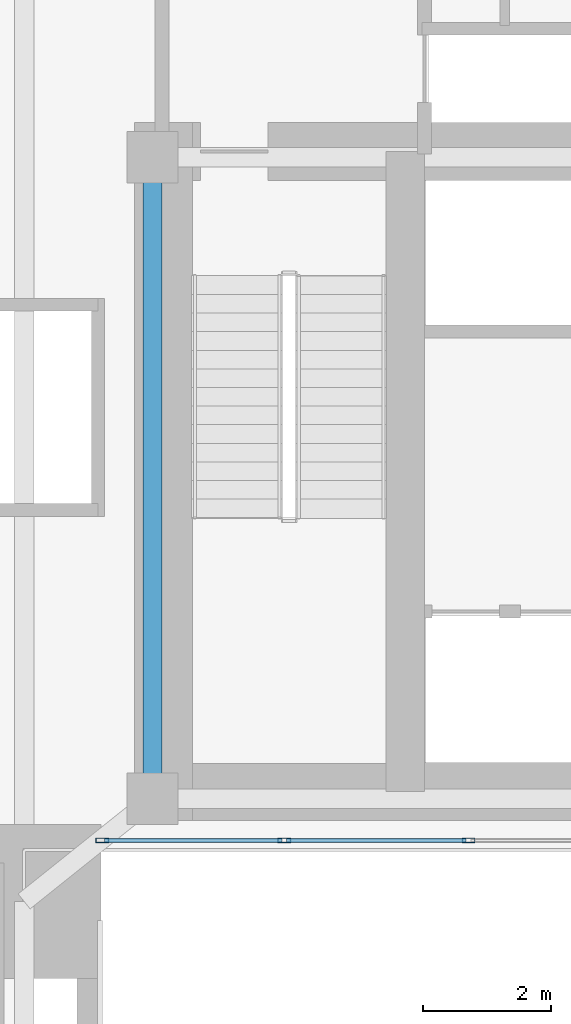
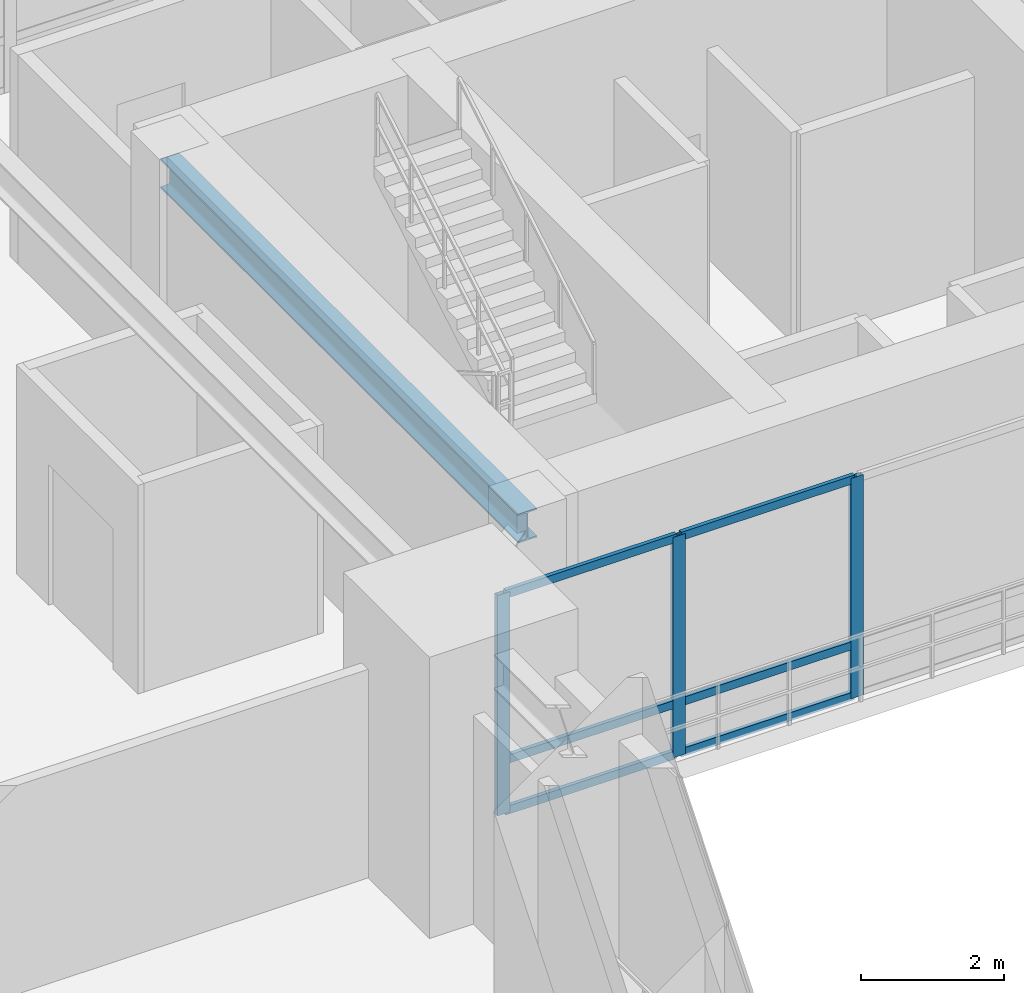
# One storey, part 2 of 14: 9 members, 1 beam, 1 element without a shape of its own.
"""IFC4 building model written with IfcOpenShell, lengths in metres."""

from ifc_helpers import new_model, si_unit, direction, frame, origin, origin_2d, place, context, subcontext, project, spatial, hollow_rectangle, i_section, extrude, material, layer, layer_set, material_profile, profile_set, type_object, element, aggregate, save


model = new_model("IFC4")

# Units and contexts
model_context = context("Model", 3, precision=1e-05, world=origin(), true_north=direction((0.0, 1.0)))
body_context = subcontext(model_context, "Body", "Model", "MODEL_VIEW")
ifc_project = project(units=[si_unit("LENGTHUNIT", "METRE"), si_unit("AREAUNIT", "SQUARE_METRE"), si_unit("VOLUMEUNIT", "CUBIC_METRE"), si_unit("PLANEANGLEUNIT", "RADIAN"), si_unit("MASSUNIT", "GRAM", prefix="KILO"), si_unit("THERMODYNAMICTEMPERATUREUNIT", "KELVIN"), si_unit("POWERUNIT", "WATT")], contexts=[model_context])

# Site, building, storey
site_placement = place(None, origin())
site = spatial("IfcSite", under=ifc_project, at=site_placement, CompositionType="ELEMENT")
building_placement = place(site_placement, origin())
building = spatial("IfcBuilding", under=site, at=building_placement, Name="Ocrelia Relay Tower", CompositionType="ELEMENT")
storey_placement = place(building_placement, frame((0.0, 0.0, 5.39990234375)))
storey = spatial("IfcBuildingStorey", under=building, at=storey_placement, Name="L01", CompositionType="ELEMENT", Elevation=5.39990234375)

# Beam
ifc_material_1 = material(Name="Steel S355", Category="steel")
ifc_material_profile_1 = material_profile(ifc_material_1, i_section(OverallWidth=0.300048828125, OverallDepth=0.5, WebThickness=0.014404296875, FlangeThickness=0.028076171875, FilletRadius=0.027099609375, at=origin_2d()), Name="HEB 500")
ifc_profile_set_1 = profile_set([ifc_material_profile_1], Name="Steel S355")
beam_type = type_object("IfcBeamType", Name="BM-HEB500", PredefinedType="BEAM", material=ifc_profile_set_1)
beam_placement = place(storey_placement, frame((26.199951171875, 20.0, 4.22998046875), z_axis=(0.0, 1.0, 0.0), x_axis=(-1.0, 0.0, 0.0)))
element("IfcBeam", 1, at=beam_placement, inside=storey, type_object=beam_type, Name="L01 Core Pilaster Tie Beam W", PredefinedType="BEAM", context=body_context, shape_type="SweptSolid", body=[
    extrude(i_section(OverallWidth=0.300048828125, OverallDepth=0.5, WebThickness=0.014404296875, FlangeThickness=0.028076171875, FilletRadius=0.027099609375, at=origin_2d()), origin(), (0.0, 0.0, 1.0), 10.0),
])

# Curtain wall, members
ifc_material_2 = material(Name="Aluminium and solar-control low-E glass", Category="aluminium")
ifc_layer = layer(ifc_material_2, 0.179931640625, Name="Aluminium and solar-control low-E glass")
ifc_layer_set = layer_set([ifc_layer], Name="Aluminium and solar-control low-E glass")
curtain_wall_type = type_object("IfcCurtainWallType", Name="CW-SYS-POD-ARCH", PredefinedType="NOTDEFINED", material=ifc_layer_set)
curtain_wall_placement = place(storey_placement, origin())
curtain_wall = element("IfcCurtainWall", 2, at=curtain_wall_placement, inside=storey, type_object=curtain_wall_type, Name="L01 South Portal Atrium Glazed Screen West", PredefinedType="NOTDEFINED")
ifc_material_3 = material(Name="Anodised bronze aluminium", Category="aluminium")
ifc_material_profile_2 = material_profile(ifc_material_3, hollow_rectangle(XDim=0.074951171875, YDim=0.199951171875, WallThickness=0.006103515625, at=origin_2d()), Name="CW-MUL-200x75")
ifc_profile_set_2 = profile_set([ifc_material_profile_2], Name="Anodised bronze aluminium")
member_type_1 = type_object("IfcMemberType", Name="CW-SYS-POD-ARCH-MUL", PredefinedType="MULLION", material=ifc_profile_set_2)
member_1_placement = place(storey_placement, frame((25.41748046875, 19.35009765625, 0.0), z_axis=(0.0, 0.0, 1.0), x_axis=(0.0, 1.0, 0.0)))
member_1 = element("IfcMember", 3, at=member_1_placement, type_object=member_type_1, Name="CW-PA mullion 1", PredefinedType="MULLION", context=body_context, shape_type="SweptSolid", body=[
    extrude(hollow_rectangle(XDim=0.074951171875, YDim=0.199951171875, WallThickness=0.006103515625, at=origin_2d()), origin(), (0.0, 0.0, 1.0), 3.760009765625),
])
member_2_placement = place(storey_placement, frame((28.25341796875, 19.35009765625, 0.0), z_axis=(0.0, 0.0, 1.0), x_axis=(0.0, 1.0, 0.0)))
member_2 = element("IfcMember", 4, at=member_2_placement, type_object=member_type_1, Name="CW-PA mullion 2", PredefinedType="MULLION", context=body_context, shape_type="SweptSolid", body=[
    extrude(hollow_rectangle(XDim=0.074951171875, YDim=0.199951171875, WallThickness=0.006103515625, at=origin_2d()), origin(), (0.0, 0.0, 1.0), 3.760009765625),
])
member_3_placement = place(storey_placement, frame((31.126708984375, 19.35009765625, 0.0), z_axis=(0.0, 0.0, 1.0), x_axis=(0.0, 1.0, 0.0)))
member_3 = element("IfcMember", 5, at=member_3_placement, type_object=member_type_1, Name="CW-PA mullion 3", PredefinedType="MULLION", context=body_context, shape_type="SweptSolid", body=[
    extrude(hollow_rectangle(XDim=0.074951171875, YDim=0.199951171875, WallThickness=0.006103515625, at=origin_2d()), origin(), (0.0, 0.0, 1.0), 3.760009765625),
])
ifc_material_profile_3 = material_profile(ifc_material_3, hollow_rectangle(XDim=0.06494140625, YDim=0.139892578125, WallThickness=0.0048828125, at=origin_2d()), Name="CW-TRN-140x65")
ifc_profile_set_3 = profile_set([ifc_material_profile_3], Name="Anodised bronze aluminium")
member_type_2 = type_object("IfcMemberType", Name="CW-SYS-POD-ARCH-TRN", PredefinedType="USERDEFINED", material=ifc_profile_set_3)
member_4_placement = place(storey_placement, frame((25.455078125, 19.35009765625, 0.03271484375), z_axis=(1.0, 0.0, 0.0), x_axis=(0.0, 1.0, 0.0)))
member_4 = element("IfcMember", 6, at=member_4_placement, type_object=member_type_2, Name="CW-PA transom 1.1", ObjectType="TRANSOM", PredefinedType="USERDEFINED", context=body_context, shape_type="SweptSolid", body=[
    extrude(hollow_rectangle(XDim=0.06494140625, YDim=0.139892578125, WallThickness=0.0048828125, at=origin_2d()), origin(), (0.0, 0.0, 1.0), 2.7607421875),
])
member_5_placement = place(storey_placement, frame((25.455078125, 19.35009765625, 0.900146484375), z_axis=(1.0, 0.0, 0.0), x_axis=(0.0, 1.0, 0.0)))
member_5 = element("IfcMember", 7, at=member_5_placement, type_object=member_type_2, Name="CW-PA transom 1.2", ObjectType="TRANSOM", PredefinedType="USERDEFINED", context=body_context, shape_type="SweptSolid", body=[
    extrude(hollow_rectangle(XDim=0.06494140625, YDim=0.139892578125, WallThickness=0.0048828125, at=origin_2d()), origin(), (0.0, 0.0, 1.0), 2.7607421875),
])
member_6_placement = place(storey_placement, frame((25.455078125, 19.35009765625, 3.7275390625), z_axis=(1.0, 0.0, 0.0), x_axis=(0.0, 1.0, 0.0)))
member_6 = element("IfcMember", 8, at=member_6_placement, type_object=member_type_2, Name="CW-PA transom 1.3", ObjectType="TRANSOM", PredefinedType="USERDEFINED", context=body_context, shape_type="SweptSolid", body=[
    extrude(hollow_rectangle(XDim=0.06494140625, YDim=0.139892578125, WallThickness=0.0048828125, at=origin_2d()), origin(), (0.0, 0.0, 1.0), 2.7607421875),
])
member_7_placement = place(storey_placement, frame((28.290771484375, 19.35009765625, 0.03271484375), z_axis=(1.0, 0.0, 0.0), x_axis=(0.0, 1.0, 0.0)))
member_7 = element("IfcMember", 9, at=member_7_placement, type_object=member_type_2, Name="CW-PA transom 2.1", ObjectType="TRANSOM", PredefinedType="USERDEFINED", context=body_context, shape_type="SweptSolid", body=[
    extrude(hollow_rectangle(XDim=0.06494140625, YDim=0.139892578125, WallThickness=0.0048828125, at=origin_2d()), origin(), (0.0, 0.0, 1.0), 2.79833984375),
])
member_8_placement = place(storey_placement, frame((28.290771484375, 19.35009765625, 0.900146484375), z_axis=(1.0, 0.0, 0.0), x_axis=(0.0, 1.0, 0.0)))
member_8 = element("IfcMember", 10, at=member_8_placement, type_object=member_type_2, Name="CW-PA transom 2.2", ObjectType="TRANSOM", PredefinedType="USERDEFINED", context=body_context, shape_type="SweptSolid", body=[
    extrude(hollow_rectangle(XDim=0.06494140625, YDim=0.139892578125, WallThickness=0.0048828125, at=origin_2d()), origin(), (0.0, 0.0, 1.0), 2.79833984375),
])
member_9_placement = place(storey_placement, frame((28.290771484375, 19.35009765625, 3.7275390625), z_axis=(1.0, 0.0, 0.0), x_axis=(0.0, 1.0, 0.0)))
member_9 = element("IfcMember", 11, at=member_9_placement, type_object=member_type_2, Name="CW-PA transom 2.3", ObjectType="TRANSOM", PredefinedType="USERDEFINED", context=body_context, shape_type="SweptSolid", body=[
    extrude(hollow_rectangle(XDim=0.06494140625, YDim=0.139892578125, WallThickness=0.0048828125, at=origin_2d()), origin(), (0.0, 0.0, 1.0), 2.79833984375),
])
aggregate(curtain_wall, [member_1, member_2, member_3, member_4, member_5, member_6, member_7, member_8, member_9])

save(model, "model.ifc")
